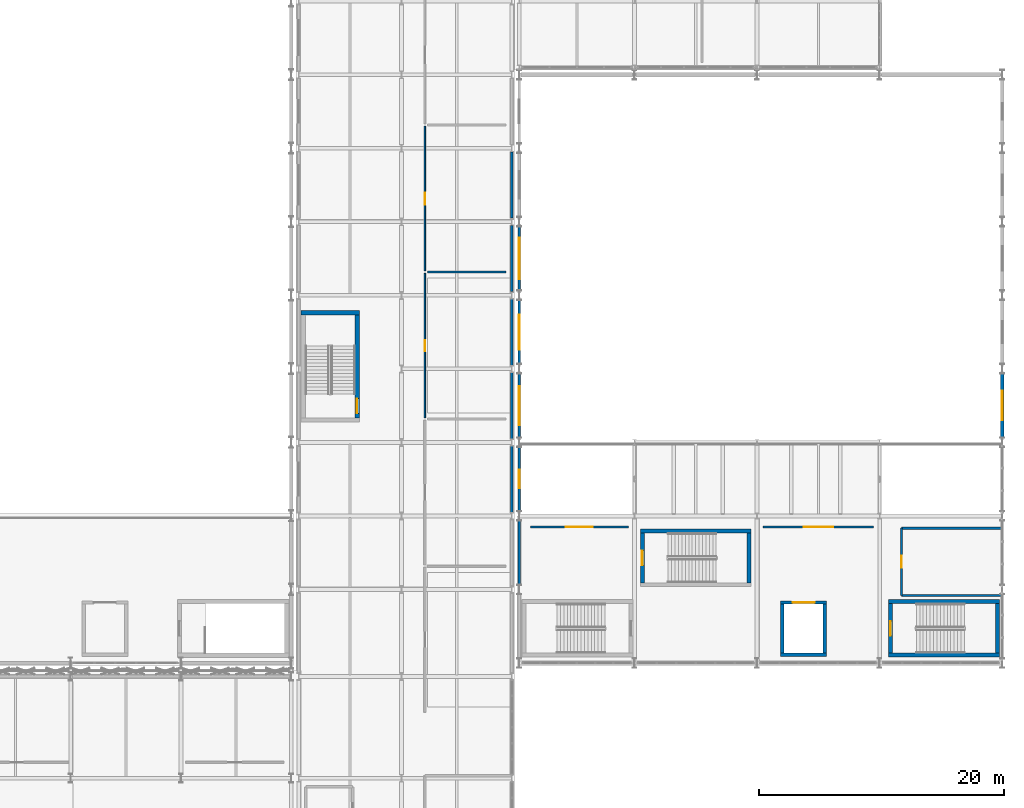
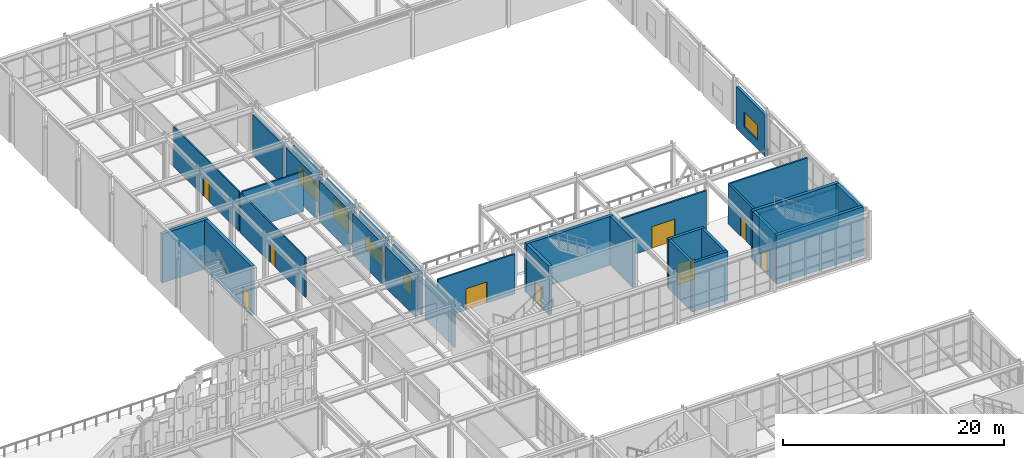
# One storey, part 161 of 210: 32 walls, 9 doors, 5 windows, 14 openings.
"""IFC4 building model written with IfcOpenShell, lengths in metres."""

import ifcopenshell
import ifcopenshell.guid

model = None  # the IFC model being written
_history = None  # IfcOwnerHistory: only IFC2X3 demands one
_inside = {}  # id of a spatial element -> (the spatial element, [elements in it])
_under = {}  # id of a project, library or spatial element -> (it, [spatial elements below it])
_declared = {}  # id of a project -> (the project, [libraries it declares])
_typed = {}  # id of a type object -> (the type object, [elements of that type])
_made_of = {}  # id of a material, layer set ... -> (it, [elements and type objects made of it])


def new_model(schema):
    """Start an empty IFC model of exactly this schema.

    Asked for "IFC4X3", IfcOpenShell would pick the latest addendum, in which some entities
    have other attributes; the version numbers below select the first issue.
    IFC2X3 requires an IfcOwnerHistory on every rooted entity: one is made here for all.
    """
    global model, _history
    if schema == "IFC4X3":
        model = ifcopenshell.file(schema_version=(4, 3, 0, 0))
    else:
        model = ifcopenshell.file(schema=schema)
    _inside.clear()
    _under.clear()
    _declared.clear()
    _typed.clear()
    _made_of.clear()
    _history = None
    if model.schema == "IFC2X3":
        org = make("IfcOrganization", Name="unknown")
        user = make(
            "IfcPersonAndOrganization",
            ThePerson=make("IfcPerson", FamilyName="unknown"),
            TheOrganization=org,
        )
        app = make(
            "IfcApplication",
            ApplicationDeveloper=org,
            Version="unknown",
            ApplicationFullName="unknown",
            ApplicationIdentifier="unknown",
        )
        _history = make(
            "IfcOwnerHistory",
            OwningUser=user,
            OwningApplication=app,
            ChangeAction="ADDED",
            CreationDate=0,
        )
    return model


def make(cls, **values):
    """One entity of the class cls with the attributes given. An attribute that is None is left unset."""
    return model.create_entity(
        cls, **{name: value for name, value in values.items() if value is not None}
    )


def rooted(cls, **values):
    """An entity with a GlobalId (a new one), such as an element, a storey or a relation."""
    return make(cls, GlobalId=ifcopenshell.guid.new(), OwnerHistory=_history, **values)


def si_unit(unit_type, name, prefix=None):
    """IfcSIUnit, for example si_unit("LENGTHUNIT", "METRE", prefix="MILLI")."""
    return make("IfcSIUnit", UnitType=unit_type, Prefix=prefix, Name=name)


def assignment(units):
    """IfcUnitAssignment: the units of a project."""
    return None if units is None else make("IfcUnitAssignment", Units=units)


def point(xyz):
    """IfcCartesianPoint."""
    return None if xyz is None else make("IfcCartesianPoint", Coordinates=xyz)


def direction(xyz):
    """IfcDirection."""
    return None if xyz is None else make("IfcDirection", DirectionRatios=xyz)


def frame(location, z_axis=None, x_axis=None):
    """IfcAxis2Placement3D, a coordinate frame: its origin and axes. An axis left out is left unset."""
    return make(
        "IfcAxis2Placement3D",
        Location=point(location),
        Axis=direction(z_axis),
        RefDirection=direction(x_axis),
    )


def frame_2d(location, x_axis=None):
    """IfcAxis2Placement2D, a coordinate frame in the plane: its origin and x axis."""
    return make(
        "IfcAxis2Placement2D", Location=point(location), RefDirection=direction(x_axis)
    )


def origin():
    """The frame at (0, 0, 0) with its axes left unset."""
    return frame((0.0, 0.0, 0.0))


def place(relative_to, where):
    """IfcLocalPlacement: puts the frame where relative to a parent placement (None: the world)."""
    return make(
        "IfcLocalPlacement", PlacementRelTo=relative_to, RelativePlacement=where
    )


def context(
    kind, dimensions, precision=None, world=None, true_north=None, identifier=None
):
    """IfcGeometricRepresentationContext, for example the 3D "Model" context."""
    return make(
        "IfcGeometricRepresentationContext",
        ContextIdentifier=identifier,
        ContextType=kind,
        CoordinateSpaceDimension=dimensions,
        Precision=precision,
        WorldCoordinateSystem=world,
        TrueNorth=true_north,
    )


def subcontext(parent, identifier, kind, view, scale=None):
    """IfcGeometricRepresentationSubContext, for example "Body" below "Model"."""
    return make(
        "IfcGeometricRepresentationSubContext",
        ContextIdentifier=identifier,
        ContextType=kind,
        ParentContext=parent,
        TargetScale=scale,
        TargetView=view,
    )


def project(units=None, contexts=None):
    """IfcProject with its units and contexts."""
    return rooted(
        "IfcProject",
        Name="project",
        RepresentationContexts=contexts,
        UnitsInContext=assignment(units),
    )


def spatial(cls, under=None, at=None, **own):
    """A site, building, storey or space (cls), placed at a placement, below another one or the project."""
    s = rooted(cls, ObjectPlacement=at, **own)
    if under is not None:
        _under.setdefault(under.id(), (under, []))[1].append(s)
    return s


def profile(cls, at=None, kind="AREA", **sizes):
    """A parametric profile (cls). Its sizes go by their IFC names, for example OverallWidth=200.0."""
    return make(cls, ProfileType=kind, Position=at, **sizes)


def rectangle(**sizes):
    """IfcRectangleProfileDef."""
    return profile("IfcRectangleProfileDef", **sizes)


def extrude(swept, where, along, depth):
    """IfcExtrudedAreaSolid: the profile swept, set in the frame where, extruded along a direction by depth."""
    return make(
        "IfcExtrudedAreaSolid",
        SweptArea=swept,
        Position=where,
        ExtrudedDirection=direction(along),
        Depth=depth,
    )


def shape(context_of_items, identifier, shape_type, items):
    """IfcShapeRepresentation: the items that make up one representation, for example the "Body"."""
    return make(
        "IfcShapeRepresentation",
        ContextOfItems=context_of_items,
        RepresentationIdentifier=identifier,
        RepresentationType=shape_type,
        Items=items,
    )


def material(Name=None, Category=None):
    """IfcMaterial."""
    return make("IfcMaterial", Name=Name, Category=Category)


def layer(
    of_material, thickness, ventilated=None, Name=None, Category=None, Priority=None
):
    """IfcMaterialLayer: one layer of a wall or slab, of a material (None: an air gap)."""
    return make(
        "IfcMaterialLayer",
        Material=of_material,
        LayerThickness=thickness,
        IsVentilated=ventilated,
        Name=Name,
        Category=Category,
        Priority=Priority,
    )


def layer_set(layers, Name=None):
    """IfcMaterialLayerSet."""
    return make("IfcMaterialLayerSet", MaterialLayers=layers, LayerSetName=Name)


def made_of(thing, what):
    """Note that an element or type object is made of a material, layer set ...; save() writes the relation."""
    if what is not None:
        _made_of.setdefault(what.id(), (what, []))[1].append(thing)
    return thing


def type_object(cls, material=None, **own):
    """A type object (cls), such as IfcWallType, which elements share."""
    return made_of(rooted(cls, **own), material)


def element(
    cls,
    number,
    at=None,
    inside=None,
    cuts=None,
    type_object=None,
    material=None,
    context=None,
    identifier="Body",
    shape_type=None,
    held_by="IfcProductDefinitionShape",
    body=None,
    shapes=None,
    **own,
):
    """One element of the class cls, such as IfcWall. Its Tag is "e" and its number.

    at: its placement. inside: the storey or other place that contains it. cuts: it is an
    opening in that element (IfcRelVoidsElement). A single representation is given by context,
    identifier, shape_type and body (its items); several are given by shapes. held_by: the class
    of the entity that holds the representations. save() writes the other relations.
    """
    e = rooted(cls, Tag="e%d" % number, ObjectPlacement=at, **own)
    if body is not None:
        shapes = [shape(context, identifier, shape_type, body)]
    if shapes is not None:
        e.Representation = make(held_by, Representations=shapes)
    if inside is not None:
        _inside.setdefault(inside.id(), (inside, []))[1].append(e)
    if cuts is not None:
        rooted(
            "IfcRelVoidsElement", RelatingBuildingElement=cuts, RelatedOpeningElement=e
        )
    if type_object is not None:
        _typed.setdefault(type_object.id(), (type_object, []))[1].append(e)
    return made_of(e, material)


def fill(opening, filler):
    """IfcRelFillsElement: the door or window that sits in an opening."""
    return rooted(
        "IfcRelFillsElement",
        RelatingOpeningElement=opening,
        RelatedBuildingElement=filler,
    )


def aggregate(whole, parts):
    """IfcRelAggregates: a whole, such as a stair, and the parts it consists of."""
    return rooted("IfcRelAggregates", RelatingObject=whole, RelatedObjects=parts)


def save(model, path):
    """Write the relations noted so far, then the file.

    IfcRelAggregates (storeys below a building ...), IfcRelContainedInSpatialStructure (elements
    in a storey), IfcRelDefinesByType, IfcRelAssociatesMaterial and IfcRelDeclares: one each for
    every whole, place, type object, material and project.
    """
    for whole, parts in _under.values():
        aggregate(whole, parts)
    for where, things in _inside.values():
        rooted(
            "IfcRelContainedInSpatialStructure",
            RelatedElements=things,
            RelatingStructure=where,
        )
    for kind, things in _typed.values():
        rooted("IfcRelDefinesByType", RelatedObjects=things, RelatingType=kind)
    for what, things in _made_of.values():
        rooted("IfcRelAssociatesMaterial", RelatedObjects=things, RelatingMaterial=what)
    for by, libraries in _declared.values():
        rooted("IfcRelDeclares", RelatingContext=by, RelatedDefinitions=libraries)
    model.write(path)


model = new_model("IFC4")

# Units and contexts
model_context = context("Model", 3, precision=1e-05, world=origin(), true_north=direction((0.0, 1.0)))
body_context = subcontext(model_context, "Body", "Model", "MODEL_VIEW")
ifc_project = project(units=[si_unit("LENGTHUNIT", "METRE"), si_unit("AREAUNIT", "SQUARE_METRE"), si_unit("VOLUMEUNIT", "CUBIC_METRE"), si_unit("PLANEANGLEUNIT", "RADIAN"), si_unit("MASSUNIT", "GRAM", prefix="KILO")], contexts=[model_context])

# Site, building, storey
site_placement = place(None, origin())
site = spatial("IfcSite", under=ifc_project, at=site_placement, CompositionType="ELEMENT")
building_placement = place(site_placement, origin())
building = spatial("IfcBuilding", under=site, at=building_placement, Name="Kaldris Quays Convention Centre", CompositionType="ELEMENT")
storey_placement = place(building_placement, frame((0.0, 0.0, 6.0)))
storey = spatial("IfcBuildingStorey", under=building, at=storey_placement, Name="L01", CompositionType="ELEMENT", Elevation=6.0)

# Wall, opening, window
ifc_material_1 = material(Name="Precast concrete C40/50", Category="concrete")
ifc_layer_1 = layer(ifc_material_1, 0.2880859375)
ifc_layer_set_1 = layer_set([ifc_layer_1], Name="Precast concrete C40/50")
wall_type_1 = type_object("IfcWallType", Name="EXTERIOR WALL EW03", PredefinedType="STANDARD", material=ifc_layer_set_1)
wall_1_placement = place(storey_placement, frame((204.0, 74.39599609375, 0.0), z_axis=(0.0, 0.0, 1.0), x_axis=(0.0, 1.0, 0.0)))
wall_1 = element("IfcWall", 1, at=wall_1_placement, inside=storey, type_object=wall_type_1, Name="L01 Exterior Wall EW03 123", PredefinedType="STANDARD", context=body_context, shape_type="SweptSolid", body=[
    extrude(rectangle(XDim=5.2080078125, YDim=0.2880859375, at=frame_2d((2.60400390625, 0.0))), origin(), (0.0, 0.0, 1.0), 4.60009765625),
])
opening_1_placement = place(wall_1_placement, frame((1.404052734375, 0.0, 1.0)))
opening_1 = element("IfcOpeningElement", 2, at=opening_1_placement, cuts=wall_1, Name="Opening WN09", PredefinedType="OPENING", context=body_context, shape_type="SweptSolid", body=[
    extrude(rectangle(XDim=2.39990234375, YDim=1.64990234375, at=frame_2d((1.199951171875, 0.824951171875))), frame((0.0, 0.154052734375, 0.0), z_axis=(0.0, -1.0, 0.0), x_axis=(1.0, 0.0, 0.0)), (0.0, 0.0, 1.0), 0.30810546875),
])
ifc_material_2 = material(Name="Triple low-E insulated glazing", Category="glass")
window_type_1 = type_object("IfcWindowType", Name="TRIPLE GLAZED WINDOW WN09", PartitioningType="SINGLE_PANEL", PredefinedType="WINDOW", material=ifc_material_2)
window_1_placement = place(opening_1_placement, origin())
window_1 = element("IfcWindow", 3, at=window_1_placement, inside=storey, type_object=window_type_1, Name="L01 Exterior Window WN09 38", OverallHeight=1.64990234375, OverallWidth=2.39990234375, PartitioningType="SINGLE_PANEL", PredefinedType="WINDOW", context=body_context, shape_type="SweptSolid", body=[
    extrude(rectangle(XDim=2.39990234375, YDim=1.64990234375, at=frame_2d((1.199951171875, 0.824951171875))), frame((0.0, 0.030029296875, 0.0), z_axis=(0.0, -1.0, 0.0), x_axis=(1.0, 0.0, 0.0)), (0.0, 0.0, 1.0), 0.06005859375),
])
fill(opening_1, window_1)

# Walls
ifc_material_3 = material(Name="Anodized aluminium insulated cassette", Category="aluminium")
ifc_layer_2 = layer(ifc_material_3, 0.221923828125)
ifc_layer_set_2 = layer_set([ifc_layer_2], Name="Anodized aluminium insulated cassette")
wall_type_2 = type_object("IfcWallType", Name="EXTERIOR WALL EW06", PredefinedType="STANDARD", material=ifc_layer_set_2)
for number, where, z_axis, x_axis, name in (
    (4, (164.0, 68.2958984375, 0.0), (0.0, 0.0, 1.0), (0.0, 1.0, 0.0), "L01 Exterior Wall EW06 293"),
    (5, (164.0, 74.2958984375, 0.0), (0.0, 0.0, 1.0), (0.0, 1.0, 0.0), "L01 Exterior Wall EW06 295"),
    (6, (164.0, 80.2958984375, 0.0), (0.0, 0.0, 1.0), (0.0, 1.0, 0.0), "L01 Exterior Wall EW06 297"),
    (7, (164.0, 86.2958984375, 0.0), (0.0, 0.0, 1.0), (0.0, 1.0, 0.0), "L01 Exterior Wall EW06 299"),
    (8, (164.0, 92.2958984375, 0.0), (0.0, 0.0, 1.0), (0.0, 1.0, 0.0), "L01 Exterior Wall EW06 301"),
):
    element("IfcWall", number, at=place(storey_placement, frame(where, z_axis=z_axis, x_axis=x_axis)), inside=storey, type_object=wall_type_2, Name=name, PredefinedType="STANDARD", context=body_context, shape_type="SweptSolid", body=[
        extrude(rectangle(XDim=5.408203125, YDim=0.221923828125, at=frame_2d((2.7041015625, 0.0))), origin(), (0.0, 0.0, 1.0), 4.51806640625),
    ])
ifc_layer_3 = layer(ifc_material_3, 0.201904296875)
ifc_layer_set_3 = layer_set([ifc_layer_3], Name="Anodized aluminium insulated cassette")
wall_type_3 = type_object("IfcWallType", Name="EXTERIOR WALL EW07", PredefinedType="STANDARD", material=ifc_layer_set_3)
wall_2_placement = place(storey_placement, frame((164.60009765625, 62.39599609375, 0.0), z_axis=(0.0, 0.0, 1.0), x_axis=(0.0, 1.0, 0.0)))
element("IfcWall", 9, at=wall_2_placement, inside=storey, type_object=wall_type_3, Name="L01 Exterior Wall EW07 121", PredefinedType="STANDARD", context=body_context, shape_type="SweptSolid", body=[
    extrude(rectangle(XDim=5.2080078125, YDim=0.201904296875, at=frame_2d((2.60400390625, 0.0))), origin(), (0.0, 0.0, 1.0), 4.577880859375),
])

# Wall, opening, window
wall_3_placement = place(storey_placement, frame((164.60009765625, 68.39599609375, 0.0), z_axis=(0.0, 0.0, 1.0), x_axis=(0.0, 1.0, 0.0)))
wall_3 = element("IfcWall", 10, at=wall_3_placement, inside=storey, type_object=wall_type_3, Name="L01 Exterior Wall EW07 122", PredefinedType="STANDARD", context=body_context, shape_type="SweptSolid", body=[
    extrude(rectangle(XDim=5.2080078125, YDim=0.201904296875, at=frame_2d((2.60400390625, 0.0))), origin(), (0.0, 0.0, 1.0), 4.60009765625),
])
opening_2_placement = place(wall_3_placement, frame((1.85400390625, 0.0, 1.0)))
opening_2 = element("IfcOpeningElement", 11, at=opening_2_placement, cuts=wall_3, Name="Opening WN08", PredefinedType="OPENING", context=body_context, shape_type="SweptSolid", body=[
    extrude(rectangle(XDim=1.5, YDim=1.800048828125, at=frame_2d((0.75, 0.89990234375))), frame((0.0, 0.11083984375, 0.0), z_axis=(0.0, -1.0, 0.0), x_axis=(1.0, 0.0, 0.0)), (0.0, 0.0, 1.0), 0.221923828125),
])
window_type_2 = type_object("IfcWindowType", Name="TRIPLE GLAZED WINDOW WN08", PartitioningType="SINGLE_PANEL", PredefinedType="WINDOW", material=ifc_material_2)
window_2_placement = place(opening_2_placement, origin())
window_2 = element("IfcWindow", 12, at=window_2_placement, inside=storey, type_object=window_type_2, Name="L01 Exterior Window WN08 37", OverallHeight=1.800048828125, OverallWidth=1.5, PartitioningType="SINGLE_PANEL", PredefinedType="WINDOW", context=body_context, shape_type="SweptSolid", body=[
    extrude(rectangle(XDim=1.5, YDim=1.800048828125, at=frame_2d((0.75, 0.89990234375))), frame((0.0, 0.030029296875, 0.0), z_axis=(0.0, -1.0, 0.0), x_axis=(1.0, 0.0, 0.0)), (0.0, 0.0, 1.0), 0.06005859375),
])
fill(opening_2, window_2)

wall_4_placement = place(storey_placement, frame((164.60009765625, 74.39599609375, 0.0), z_axis=(0.0, 0.0, 1.0), x_axis=(0.0, 1.0, 0.0)))
wall_4 = element("IfcWall", 13, at=wall_4_placement, inside=storey, type_object=wall_type_3, Name="L01 Exterior Wall EW07 124", PredefinedType="STANDARD", context=body_context, shape_type="SweptSolid", body=[
    extrude(rectangle(XDim=5.2080078125, YDim=0.201904296875, at=frame_2d((2.60400390625, 0.0))), origin(), (0.0, 0.0, 1.0), 4.60009765625),
])
opening_3_placement = place(wall_4_placement, frame((1.00390625, 0.0, 1.0)))
opening_3 = element("IfcOpeningElement", 14, at=opening_3_placement, cuts=wall_4, Name="Opening WN10", PredefinedType="OPENING", context=body_context, shape_type="SweptSolid", body=[
    extrude(rectangle(XDim=3.199951171875, YDim=1.64990234375, at=frame_2d((1.60009765625, 0.824951171875))), frame((0.0, 0.11083984375, 0.0), z_axis=(0.0, -1.0, 0.0), x_axis=(1.0, 0.0, 0.0)), (0.0, 0.0, 1.0), 0.221923828125),
])
window_type_3 = type_object("IfcWindowType", Name="TRIPLE GLAZED WINDOW WN10", PartitioningType="SINGLE_PANEL", PredefinedType="WINDOW", material=ifc_material_2)
window_3_placement = place(opening_3_placement, origin())
window_3 = element("IfcWindow", 15, at=window_3_placement, inside=storey, type_object=window_type_3, Name="L01 Exterior Window WN10 39", OverallHeight=1.64990234375, OverallWidth=3.199951171875, PartitioningType="SINGLE_PANEL", PredefinedType="WINDOW", context=body_context, shape_type="SweptSolid", body=[
    extrude(rectangle(XDim=3.199951171875, YDim=1.64990234375, at=frame_2d((1.60009765625, 0.824951171875))), frame((0.0, 0.030029296875, 0.0), z_axis=(0.0, -1.0, 0.0), x_axis=(1.0, 0.0, 0.0)), (0.0, 0.0, 1.0), 0.06005859375),
])
fill(opening_3, window_3)

wall_5_placement = place(storey_placement, frame((164.60009765625, 80.39599609375, 0.0), z_axis=(0.0, 0.0, 1.0), x_axis=(0.0, 1.0, 0.0)))
wall_5 = element("IfcWall", 16, at=wall_5_placement, inside=storey, type_object=wall_type_3, Name="L01 Exterior Wall EW07 126", PredefinedType="STANDARD", context=body_context, shape_type="SweptSolid", body=[
    extrude(rectangle(XDim=5.2080078125, YDim=0.201904296875, at=frame_2d((2.60400390625, 0.0))), origin(), (0.0, 0.0, 1.0), 4.60009765625),
])
opening_4_placement = place(wall_5_placement, frame((1.178955078125, 0.0, 1.0)))
opening_4 = element("IfcOpeningElement", 17, at=opening_4_placement, cuts=wall_5, Name="Opening WN12", PredefinedType="OPENING", context=body_context, shape_type="SweptSolid", body=[
    extrude(rectangle(XDim=2.85009765625, YDim=2.25, at=frame_2d((1.425048828125, 1.125))), frame((0.0, 0.11083984375, 0.0), z_axis=(0.0, -1.0, 0.0), x_axis=(1.0, 0.0, 0.0)), (0.0, 0.0, 1.0), 0.221923828125),
])
window_type_4 = type_object("IfcWindowType", Name="TRIPLE GLAZED WINDOW WN12", PartitioningType="SINGLE_PANEL", PredefinedType="WINDOW", material=ifc_material_2)
window_4_placement = place(opening_4_placement, origin())
window_4 = element("IfcWindow", 18, at=window_4_placement, inside=storey, type_object=window_type_4, Name="L01 Exterior Window WN12 41", OverallHeight=2.25, OverallWidth=2.85009765625, PartitioningType="SINGLE_PANEL", PredefinedType="WINDOW", context=body_context, shape_type="SweptSolid", body=[
    extrude(rectangle(XDim=2.85009765625, YDim=2.25, at=frame_2d((1.425048828125, 1.125))), frame((0.0, 0.030029296875, 0.0), z_axis=(0.0, -1.0, 0.0), x_axis=(1.0, 0.0, 0.0)), (0.0, 0.0, 1.0), 0.06005859375),
])
fill(opening_4, window_4)

wall_6_placement = place(storey_placement, frame((164.60009765625, 86.39599609375, 0.0), z_axis=(0.0, 0.0, 1.0), x_axis=(0.0, 1.0, 0.0)))
wall_6 = element("IfcWall", 19, at=wall_6_placement, inside=storey, type_object=wall_type_3, Name="L01 Exterior Wall EW07 128", PredefinedType="STANDARD", context=body_context, shape_type="SweptSolid", body=[
    extrude(rectangle(XDim=5.2080078125, YDim=0.201904296875, at=frame_2d((2.60400390625, 0.0))), origin(), (0.0, 0.0, 1.0), 4.60009765625),
])
opening_5_placement = place(wall_6_placement, frame((0.904052734375, 0.0, 1.0)))
opening_5 = element("IfcOpeningElement", 20, at=opening_5_placement, cuts=wall_6, Name="Opening WN14", PredefinedType="OPENING", context=body_context, shape_type="SweptSolid", body=[
    extrude(rectangle(XDim=3.39990234375, YDim=2.0, at=frame_2d((1.699951171875, 1.0))), frame((0.0, 0.11083984375, 0.0), z_axis=(0.0, -1.0, 0.0), x_axis=(1.0, 0.0, 0.0)), (0.0, 0.0, 1.0), 0.221923828125),
])
window_type_5 = type_object("IfcWindowType", Name="TRIPLE GLAZED WINDOW WN14", PartitioningType="SINGLE_PANEL", PredefinedType="WINDOW", material=ifc_material_2)
window_5_placement = place(opening_5_placement, origin())
window_5 = element("IfcWindow", 21, at=window_5_placement, inside=storey, type_object=window_type_5, Name="L01 Exterior Window WN14 43", OverallHeight=2.0, OverallWidth=3.39990234375, PartitioningType="SINGLE_PANEL", PredefinedType="WINDOW", context=body_context, shape_type="SweptSolid", body=[
    extrude(rectangle(XDim=3.39990234375, YDim=2.0, at=frame_2d((1.699951171875, 1.0))), frame((0.0, 0.030029296875, 0.0), z_axis=(0.0, -1.0, 0.0), x_axis=(1.0, 0.0, 0.0)), (0.0, 0.0, 1.0), 0.06005859375),
])
fill(opening_5, window_5)

# Wall, opening, door
ifc_material_4 = material(Name="Acoustic gypsum stud partition", Category="gypsum")
ifc_layer_4 = layer(ifc_material_4, 0.177978515625)
ifc_layer_set_4 = layer_set([ifc_layer_4], Name="Acoustic gypsum stud partition")
wall_type_4 = type_object("IfcWallType", Name="INTERIOR WALL IW02", PredefinedType="PARTITIONING", material=ifc_layer_set_4)
wall_7_placement = place(storey_placement, frame((165.5, 67.10009765625, 0.0), z_axis=(0.0, 0.0, 1.0), x_axis=(1.0, 0.0, 0.0)))
wall_7 = element("IfcWall", 22, at=wall_7_placement, inside=storey, type_object=wall_type_4, Name="L01 Interior Wall IW02 38", PredefinedType="PARTITIONING", context=body_context, shape_type="SweptSolid", body=[
    extrude(rectangle(XDim=8.0, YDim=0.177978515625, at=frame_2d((4.0, 0.0))), origin(), (0.0, 0.0, 1.0), 4.39990234375),
])
opening_6_placement = place(wall_7_placement, frame((2.89990234375, 0.0, 0.0)))
opening_6 = element("IfcOpeningElement", 23, at=opening_6_placement, cuts=wall_7, Name="Opening ID19", PredefinedType="OPENING", context=body_context, shape_type="SweptSolid", body=[
    extrude(rectangle(XDim=2.199951171875, YDim=2.340087890625, at=frame_2d((1.10009765625, 1.169921875))), frame((0.0, 0.09912109375, 0.0), z_axis=(0.0, -1.0, 0.0), x_axis=(1.0, 0.0, 0.0)), (0.0, 0.0, 1.0), 0.197998046875),
])
ifc_material_5 = material(Name="Glazed concourse double door", Category="aluminium")
door_type_1 = type_object("IfcDoorType", Name="INTERIOR DOOR ID19", OperationType="DOUBLE_DOOR_SINGLE_SWING", PredefinedType="DOOR", material=ifc_material_5)
door_1_placement = place(opening_6_placement, frame((2.199951171875, 0.0, 0.0), z_axis=(0.0, 0.0, 1.0), x_axis=(-1.0, 0.0, 0.0)))
door_1 = element("IfcDoor", 24, at=door_1_placement, inside=storey, type_object=door_type_1, Name="L01 Interior Door ID19 29", OperationType="DOUBLE_DOOR_SINGLE_SWING", OverallHeight=2.340087890625, OverallWidth=2.199951171875, PredefinedType="DOOR", context=body_context, shape_type="SweptSolid", body=[
    extrude(rectangle(XDim=2.199951171875, YDim=2.340087890625, at=frame_2d((1.10009765625, 1.169921875))), frame((0.0, 0.02490234375, 0.0), z_axis=(0.0, -1.0, 0.0), x_axis=(1.0, 0.0, 0.0)), (0.0, 0.0, 1.0), 0.050048828125),
])
fill(opening_6, door_1)

wall_8_placement = place(storey_placement, frame((184.5, 67.10009765625, 0.0), z_axis=(0.0, 0.0, 1.0), x_axis=(1.0, 0.0, 0.0)))
wall_8 = element("IfcWall", 25, at=wall_8_placement, inside=storey, type_object=wall_type_4, Name="L01 Interior Wall IW02 39", PredefinedType="PARTITIONING", context=body_context, shape_type="SweptSolid", body=[
    extrude(rectangle(XDim=9.0, YDim=0.177978515625, at=frame_2d((4.5, 0.0))), origin(), (0.0, 0.0, 1.0), 4.39990234375),
])
opening_7_placement = place(wall_8_placement, frame((3.300048828125, 0.0, 0.0)))
opening_7 = element("IfcOpeningElement", 26, at=opening_7_placement, cuts=wall_8, Name="Opening ID20", PredefinedType="OPENING", context=body_context, shape_type="SweptSolid", body=[
    extrude(rectangle(XDim=2.39990234375, YDim=2.39990234375, at=frame_2d((1.199951171875, 1.199951171875))), frame((0.0, 0.09912109375, 0.0), z_axis=(0.0, -1.0, 0.0), x_axis=(1.0, 0.0, 0.0)), (0.0, 0.0, 1.0), 0.197998046875),
])
ifc_material_6 = material(Name="Exhibition foyer double door", Category="aluminium")
door_type_2 = type_object("IfcDoorType", Name="INTERIOR DOOR ID20", OperationType="DOUBLE_DOOR_SINGLE_SWING", PredefinedType="DOOR", material=ifc_material_6)
door_2_placement = place(opening_7_placement, frame((2.39990234375, 0.0, 0.0), z_axis=(0.0, 0.0, 1.0), x_axis=(-1.0, 0.0, 0.0)))
door_2 = element("IfcDoor", 27, at=door_2_placement, inside=storey, type_object=door_type_2, Name="L01 Interior Door ID20 30", OperationType="DOUBLE_DOOR_SINGLE_SWING", OverallHeight=2.39990234375, OverallWidth=2.39990234375, PredefinedType="DOOR", context=body_context, shape_type="SweptSolid", body=[
    extrude(rectangle(XDim=2.39990234375, YDim=2.39990234375, at=frame_2d((1.199951171875, 1.199951171875))), frame((0.0, 0.02490234375, 0.0), z_axis=(0.0, -1.0, 0.0), x_axis=(1.0, 0.0, 0.0)), (0.0, 0.0, 1.0), 0.050048828125),
])
fill(opening_7, door_2)

# Walls
for number, where, z_axis, x_axis, name in (
    (28, (195.800048828125, 61.5, 0.0), (0.0, 0.0, 1.0), (1.0, 0.0, 0.0), "L01 Interior Wall IW02 40"),
    (29, (195.800048828125, 67.0, 0.0), (0.0, 0.0, 1.0), (1.0, 0.0, 0.0), "L01 Interior Wall IW02 41"),
):
    element("IfcWall", number, at=place(storey_placement, frame(where, z_axis=z_axis, x_axis=x_axis)), inside=storey, type_object=wall_type_4, Name=name, PredefinedType="PARTITIONING", context=body_context, shape_type="SweptSolid", body=[
        extrude(rectangle(XDim=8.199951171875, YDim=0.177978515625, at=frame_2d((4.10009765625, 0.0))), origin(), (0.0, 0.0, 1.0), 4.39990234375),
    ])

# Wall, opening, door
wall_9_placement = place(storey_placement, frame((195.800048828125, 61.5, 0.0), z_axis=(0.0, 0.0, 1.0), x_axis=(0.0, 1.0, 0.0)))
wall_9 = element("IfcWall", 30, at=wall_9_placement, inside=storey, type_object=wall_type_4, Name="L01 Interior Wall IW02 42", PredefinedType="PARTITIONING", context=body_context, shape_type="SweptSolid", body=[
    extrude(rectangle(XDim=5.5, YDim=0.177978515625, at=frame_2d((2.75, 0.0))), origin(), (0.0, 0.0, 1.0), 4.39990234375),
])
opening_8_placement = place(wall_9_placement, frame((2.260009765625, 0.0, 0.0)))
opening_8 = element("IfcOpeningElement", 31, at=opening_8_placement, cuts=wall_9, Name="Opening ID13", PredefinedType="OPENING", context=body_context, shape_type="SweptSolid", body=[
    extrude(rectangle(XDim=0.97998046875, YDim=2.139892578125, at=frame_2d((0.489990234375, 1.06982421875))), frame((0.0, 0.09912109375, 0.0), z_axis=(0.0, -1.0, 0.0), x_axis=(1.0, 0.0, 0.0)), (0.0, 0.0, 1.0), 0.197998046875),
])
ifc_material_7 = material(Name="SIA 500 accessible sanitary room door", Category="wood")
door_type_3 = type_object("IfcDoorType", Name="INTERIOR DOOR ID13", OperationType="NOTDEFINED", PredefinedType="DOOR", material=ifc_material_7)
door_3_placement = place(opening_8_placement, origin())
door_3 = element("IfcDoor", 32, at=door_3_placement, inside=storey, type_object=door_type_3, Name="L01 Interior Door ID13 31", OperationType="SINGLE_SWING_LEFT", OverallHeight=2.139892578125, OverallWidth=0.97998046875, PredefinedType="DOOR", context=body_context, shape_type="SweptSolid", body=[
    extrude(rectangle(XDim=0.97998046875, YDim=2.139892578125, at=frame_2d((0.489990234375, 1.06982421875))), frame((0.0, 0.02490234375, 0.0), z_axis=(0.0, -1.0, 0.0), x_axis=(1.0, 0.0, 0.0)), (0.0, 0.0, 1.0), 0.050048828125),
])
fill(opening_8, door_3)

ifc_layer_5 = layer(ifc_material_4, 0.134033203125)
ifc_layer_set_5 = layer_set([ifc_layer_5], Name="Acoustic gypsum stud partition")
wall_type_5 = type_object("IfcWallType", Name="INTERIOR WALL IW05", PredefinedType="PARTITIONING", material=ifc_layer_set_5)
wall_10_placement = place(storey_placement, frame((156.89990234375, 76.0, 0.0), z_axis=(0.0, 0.0, 1.0), x_axis=(0.0, 1.0, 0.0)))
wall_10 = element("IfcWall", 33, at=wall_10_placement, inside=storey, type_object=wall_type_5, Name="L01 Interior Wall IW05 64", PredefinedType="PARTITIONING", context=body_context, shape_type="SweptSolid", body=[
    extrude(rectangle(XDim=11.800048828125, YDim=0.134033203125, at=frame_2d((5.89990234375, 0.0))), origin(), (0.0, 0.0, 1.0), 4.39990234375),
])
opening_9_placement = place(wall_10_placement, frame((5.449951171875, 0.0, 0.0)))
opening_9 = element("IfcOpeningElement", 34, at=opening_9_placement, cuts=wall_10, Name="Opening ID12", PredefinedType="OPENING", context=body_context, shape_type="SweptSolid", body=[
    extrude(rectangle(XDim=0.89990234375, YDim=2.080078125, at=frame_2d((0.449951171875, 1.0400390625))), frame((0.0, 0.0771484375, 0.0), z_axis=(0.0, -1.0, 0.0), x_axis=(1.0, 0.0, 0.0)), (0.0, 0.0, 1.0), 0.154052734375),
])
ifc_material_8 = material(Name="Moisture-resistant sanitary room door", Category="wood")
door_type_4 = type_object("IfcDoorType", Name="INTERIOR DOOR ID12", OperationType="NOTDEFINED", PredefinedType="DOOR", material=ifc_material_8)
door_4_placement = place(opening_9_placement, origin())
door_4 = element("IfcDoor", 35, at=door_4_placement, inside=storey, type_object=door_type_4, Name="L01 Interior Door ID12 45", OperationType="SINGLE_SWING_LEFT", OverallHeight=2.080078125, OverallWidth=0.89990234375, PredefinedType="DOOR", context=body_context, shape_type="SweptSolid", body=[
    extrude(rectangle(XDim=0.89990234375, YDim=2.080078125, at=frame_2d((0.449951171875, 1.0400390625))), frame((0.0, 0.02490234375, 0.0), z_axis=(0.0, -1.0, 0.0), x_axis=(1.0, 0.0, 0.0)), (0.0, 0.0, 1.0), 0.050048828125),
])
fill(opening_9, door_4)

wall_11_placement = place(storey_placement, frame((156.89990234375, 88.0, 0.0), z_axis=(0.0, 0.0, 1.0), x_axis=(0.0, 1.0, 0.0)))
wall_11 = element("IfcWall", 36, at=wall_11_placement, inside=storey, type_object=wall_type_5, Name="L01 Interior Wall IW05 65", PredefinedType="PARTITIONING", context=body_context, shape_type="SweptSolid", body=[
    extrude(rectangle(XDim=11.800048828125, YDim=0.134033203125, at=frame_2d((5.89990234375, 0.0))), origin(), (0.0, 0.0, 1.0), 4.39990234375),
])
opening_10_placement = place(wall_11_placement, frame((5.409912109375, 0.0, 0.0)))
opening_10 = element("IfcOpeningElement", 37, at=opening_10_placement, cuts=wall_11, Name="Opening ID13", PredefinedType="OPENING", context=body_context, shape_type="SweptSolid", body=[
    extrude(rectangle(XDim=0.97998046875, YDim=2.139892578125, at=frame_2d((0.489990234375, 1.06982421875))), frame((0.0, 0.0771484375, 0.0), z_axis=(0.0, -1.0, 0.0), x_axis=(1.0, 0.0, 0.0)), (0.0, 0.0, 1.0), 0.154052734375),
])
door_5_placement = place(opening_10_placement, origin())
door_5 = element("IfcDoor", 38, at=door_5_placement, inside=storey, type_object=door_type_3, Name="L01 Interior Door ID13 46", OperationType="SINGLE_SWING_RIGHT", OverallHeight=2.139892578125, OverallWidth=0.97998046875, PredefinedType="DOOR", context=body_context, shape_type="SweptSolid", body=[
    extrude(rectangle(XDim=0.97998046875, YDim=2.139892578125, at=frame_2d((0.489990234375, 1.06982421875))), frame((0.0, 0.02490234375, 0.0), z_axis=(0.0, -1.0, 0.0), x_axis=(1.0, 0.0, 0.0)), (0.0, 0.0, 1.0), 0.050048828125),
])
fill(opening_10, door_5)

# Walls
ifc_material_9 = material(Name="Steel S355J2 acoustic operable panel", Category="steel")
ifc_layer_6 = layer(ifc_material_9, 0.16796875)
ifc_layer_set_6 = layer_set([ifc_layer_6], Name="Steel S355J2 acoustic operable panel")
wall_type_6 = type_object("IfcWallType", Name="INTERIOR WALL MW02", PredefinedType="MOVABLE", material=ifc_layer_set_6)
wall_12_placement = place(storey_placement, frame((157.10009765625, 87.89990234375, 0.0), z_axis=(0.0, 0.0, 1.0), x_axis=(1.0, 0.0, 0.0)))
element("IfcWall", 39, at=wall_12_placement, inside=storey, type_object=wall_type_6, Name="L01 Interior Wall MW02 70", PredefinedType="MOVABLE", context=body_context, shape_type="SweptSolid", body=[
    extrude(rectangle(XDim=6.39990234375, YDim=0.16796875, at=frame_2d((3.199951171875, 0.0))), origin(), (0.0, 0.0, 1.0), 4.39990234375),
])
ifc_material_10 = material(Name="Concrete C40/50", Category="concrete")
ifc_layer_7 = layer(ifc_material_10, 0.35009765625)
ifc_layer_set_7 = layer_set([ifc_layer_7], Name="Concrete C40/50")
wall_type_7 = type_object("IfcWallType", Name="STRUCTURAL WALL SW01", PredefinedType="SHEAR", material=ifc_layer_set_7)
wall_13_placement = place(storey_placement, frame((146.800048828125, 84.574951171875, 0.0), z_axis=(0.0, 0.0, 1.0), x_axis=(1.0, 0.0, 0.0)))
element("IfcWall", 40, at=wall_13_placement, inside=storey, type_object=wall_type_7, Name="L01 Core Shear Wall CORE-ST14-L01-N", PredefinedType="SHEAR", context=body_context, shape_type="SweptSolid", body=[
    extrude(rectangle(XDim=4.75, YDim=0.35009765625, at=frame_2d((2.375, 0.0))), origin(), (0.0, 0.0, 1.0), 5.39990234375),
])

# Wall, opening, door
wall_14_placement = place(storey_placement, frame((151.375, 76.0, 0.0), z_axis=(0.0, 0.0, 1.0), x_axis=(0.0, 1.0, 0.0)))
wall_14 = element("IfcWall", 41, at=wall_14_placement, inside=storey, type_object=wall_type_7, Name="L01 Core Shear Wall CORE-ST14-L01-E", PredefinedType="SHEAR", context=body_context, shape_type="SweptSolid", body=[
    extrude(rectangle(XDim=8.39990234375, YDim=0.35009765625, at=frame_2d((4.199951171875, 0.0))), origin(), (0.0, 0.0, 1.0), 5.39990234375),
])
opening_11_placement = place(wall_14_placement, frame((0.375, 0.0, 0.0)))
opening_11 = element("IfcOpeningElement", 42, at=opening_11_placement, cuts=wall_14, Name="Opening ID03", PredefinedType="OPENING", context=body_context, shape_type="SweptSolid", body=[
    extrude(rectangle(XDim=1.199951171875, YDim=2.199951171875, at=frame_2d((0.60009765625, 1.10009765625))), frame((0.0, 0.18505859375, 0.0), z_axis=(0.0, -1.0, 0.0), x_axis=(1.0, 0.0, 0.0)), (0.0, 0.0, 1.0), 0.3701171875),
])
ifc_material_11 = material(Name="Steel S355J2 fire-resisting door", Category="steel")
door_type_5 = type_object("IfcDoorType", Name="INTERIOR DOOR ID03", OperationType="NOTDEFINED", PredefinedType="DOOR", material=ifc_material_11)
door_6_placement = place(opening_11_placement, origin())
door_6 = element("IfcDoor", 43, at=door_6_placement, inside=storey, type_object=door_type_5, Name="L01 Escape Stair ST14 Fire Door", OperationType="SINGLE_SWING_LEFT", OverallHeight=2.199951171875, OverallWidth=1.199951171875, PredefinedType="DOOR", context=body_context, shape_type="SweptSolid", body=[
    extrude(rectangle(XDim=1.199951171875, YDim=2.199951171875, at=frame_2d((0.60009765625, 1.10009765625))), frame((0.0, 0.02490234375, 0.0), z_axis=(0.0, -1.0, 0.0), x_axis=(1.0, 0.0, 0.0)), (0.0, 0.0, 1.0), 0.050048828125),
])
fill(opening_11, door_6)

# Walls
ifc_layer_8 = layer(ifc_material_10, 0.320068359375)
ifc_layer_set_8 = layer_set([ifc_layer_8], Name="Concrete C40/50")
wall_type_8 = type_object("IfcWallType", Name="STRUCTURAL WALL SW02", PredefinedType="SHEAR", material=ifc_layer_set_8)
for number, where, z_axis, x_axis, name in (
    (44, (194.72998046875, 56.639892578125, 0.0), (0.0, 0.0, 1.0), (1.0, 0.0, 0.0), "L01 Core Shear Wall CORE-ST09-L01-S"),
    (45, (194.72998046875, 61.010009765625, 0.0), (0.0, 0.0, 1.0), (1.0, 0.0, 0.0), "L01 Core Shear Wall CORE-ST09-L01-N"),
):
    element("IfcWall", number, at=place(storey_placement, frame(where, z_axis=z_axis, x_axis=x_axis)), inside=storey, type_object=wall_type_8, Name=name, PredefinedType="SHEAR", context=body_context, shape_type="SweptSolid", body=[
        extrude(rectangle(XDim=9.0400390625, YDim=0.320068359375, at=frame_2d((4.52001953125, 0.0))), origin(), (0.0, 0.0, 1.0), 5.39990234375),
    ])

# Wall, opening, door
wall_15_placement = place(storey_placement, frame((194.889892578125, 56.800048828125, 0.0), z_axis=(0.0, 0.0, 1.0), x_axis=(0.0, 1.0, 0.0)))
wall_15 = element("IfcWall", 46, at=wall_15_placement, inside=storey, type_object=wall_type_8, Name="L01 Core Shear Wall CORE-ST09-L01-W", PredefinedType="SHEAR", context=body_context, shape_type="SweptSolid", body=[
    extrude(rectangle(XDim=4.050048828125, YDim=0.320068359375, at=frame_2d((2.02490234375, 0.0))), origin(), (0.0, 0.0, 1.0), 5.39990234375),
])
opening_12_placement = place(wall_15_placement, frame((1.425048828125, 0.0, 0.0)))
opening_12 = element("IfcOpeningElement", 47, at=opening_12_placement, cuts=wall_15, Name="Opening ID03", PredefinedType="OPENING", context=body_context, shape_type="SweptSolid", body=[
    extrude(rectangle(XDim=1.199951171875, YDim=2.199951171875, at=frame_2d((0.60009765625, 1.10009765625))), frame((0.0, 0.169921875, 0.0), z_axis=(0.0, -1.0, 0.0), x_axis=(1.0, 0.0, 0.0)), (0.0, 0.0, 1.0), 0.340087890625),
])
door_7_placement = place(opening_12_placement, frame((1.199951171875, 0.0, 0.0), z_axis=(0.0, 0.0, 1.0), x_axis=(-1.0, 0.0, 0.0)))
door_7 = element("IfcDoor", 48, at=door_7_placement, inside=storey, type_object=door_type_5, Name="L01 Escape Stair ST09 Fire Door", OperationType="SINGLE_SWING_RIGHT", OverallHeight=2.199951171875, OverallWidth=1.199951171875, PredefinedType="DOOR", context=body_context, shape_type="SweptSolid", body=[
    extrude(rectangle(XDim=1.199951171875, YDim=2.199951171875, at=frame_2d((0.60009765625, 1.10009765625))), frame((0.0, 0.02490234375, 0.0), z_axis=(0.0, -1.0, 0.0), x_axis=(1.0, 0.0, 0.0)), (0.0, 0.0, 1.0), 0.050048828125),
])
fill(opening_12, door_7)

# Walls
wall_16_placement = place(storey_placement, frame((203.610107421875, 56.800048828125, 0.0), z_axis=(0.0, 0.0, 1.0), x_axis=(0.0, 1.0, 0.0)))
element("IfcWall", 49, at=wall_16_placement, inside=storey, type_object=wall_type_8, Name="L01 Core Shear Wall CORE-ST09-L01-E", PredefinedType="SHEAR", context=body_context, shape_type="SweptSolid", body=[
    extrude(rectangle(XDim=4.050048828125, YDim=0.320068359375, at=frame_2d((2.02490234375, 0.0))), origin(), (0.0, 0.0, 1.0), 5.39990234375),
])
wall_17_placement = place(storey_placement, frame((174.47998046875, 66.760009765625, 0.0), z_axis=(0.0, 0.0, 1.0), x_axis=(1.0, 0.0, 0.0)))
element("IfcWall", 50, at=wall_17_placement, inside=storey, type_object=wall_type_8, Name="L01 Core Shear Wall CORE-ST10-L01-N", PredefinedType="SHEAR", context=body_context, shape_type="SweptSolid", body=[
    extrude(rectangle(XDim=9.0400390625, YDim=0.320068359375, at=frame_2d((4.52001953125, 0.0))), origin(), (0.0, 0.0, 1.0), 5.39990234375),
])

# Wall, opening, door
wall_18_placement = place(storey_placement, frame((174.639892578125, 62.550048828125, 0.0), z_axis=(0.0, 0.0, 1.0), x_axis=(0.0, 1.0, 0.0)))
wall_18 = element("IfcWall", 51, at=wall_18_placement, inside=storey, type_object=wall_type_8, Name="L01 Core Shear Wall CORE-ST10-L01-W", PredefinedType="SHEAR", context=body_context, shape_type="SweptSolid", body=[
    extrude(rectangle(XDim=4.050048828125, YDim=0.320068359375, at=frame_2d((2.02490234375, 0.0))), origin(), (0.0, 0.0, 1.0), 5.39990234375),
])
opening_13_placement = place(wall_18_placement, frame((1.425048828125, 0.0, 0.0)))
opening_13 = element("IfcOpeningElement", 52, at=opening_13_placement, cuts=wall_18, Name="Opening ID03", PredefinedType="OPENING", context=body_context, shape_type="SweptSolid", body=[
    extrude(rectangle(XDim=1.199951171875, YDim=2.199951171875, at=frame_2d((0.60009765625, 1.10009765625))), frame((0.0, 0.169921875, 0.0), z_axis=(0.0, -1.0, 0.0), x_axis=(1.0, 0.0, 0.0)), (0.0, 0.0, 1.0), 0.340087890625),
])
door_8_placement = place(opening_13_placement, frame((1.199951171875, 0.0, 0.0), z_axis=(0.0, 0.0, 1.0), x_axis=(-1.0, 0.0, 0.0)))
door_8 = element("IfcDoor", 53, at=door_8_placement, inside=storey, type_object=door_type_5, Name="L01 Escape Stair ST10 Fire Door", OperationType="SINGLE_SWING_LEFT", OverallHeight=2.199951171875, OverallWidth=1.199951171875, PredefinedType="DOOR", context=body_context, shape_type="SweptSolid", body=[
    extrude(rectangle(XDim=1.199951171875, YDim=2.199951171875, at=frame_2d((0.60009765625, 1.10009765625))), frame((0.0, 0.02490234375, 0.0), z_axis=(0.0, -1.0, 0.0), x_axis=(1.0, 0.0, 0.0)), (0.0, 0.0, 1.0), 0.050048828125),
])
fill(opening_13, door_8)

# Walls
wall_19_placement = place(storey_placement, frame((183.360107421875, 62.550048828125, 0.0), z_axis=(0.0, 0.0, 1.0), x_axis=(0.0, 1.0, 0.0)))
element("IfcWall", 54, at=wall_19_placement, inside=storey, type_object=wall_type_8, Name="L01 Core Shear Wall CORE-ST10-L01-E", PredefinedType="SHEAR", context=body_context, shape_type="SweptSolid", body=[
    extrude(rectangle(XDim=4.050048828125, YDim=0.320068359375, at=frame_2d((2.02490234375, 0.0))), origin(), (0.0, 0.0, 1.0), 5.39990234375),
])
ifc_layer_9 = layer(ifc_material_10, 0.280029296875)
ifc_layer_set_9 = layer_set([ifc_layer_9], Name="Concrete C40/50")
wall_type_9 = type_object("IfcWallType", Name="STRUCTURAL WALL SW03", PredefinedType="SHEAR", material=ifc_layer_set_9)
wall_20_placement = place(storey_placement, frame((185.919921875, 56.659912109375, 0.0), z_axis=(0.0, 0.0, 1.0), x_axis=(1.0, 0.0, 0.0)))
element("IfcWall", 55, at=wall_20_placement, inside=storey, type_object=wall_type_9, Name="L01 Core Shear Wall LSHAFT-GL02-L01-S", PredefinedType="SHEAR", context=body_context, shape_type="SweptSolid", body=[
    extrude(rectangle(XDim=3.760009765625, YDim=0.280029296875, at=frame_2d((1.8798828125, 0.0))), origin(), (0.0, 0.0, 1.0), 5.39990234375),
])

# Wall, opening, door
wall_21_placement = place(storey_placement, frame((185.919921875, 60.93994140625, 0.0), z_axis=(0.0, 0.0, 1.0), x_axis=(1.0, 0.0, 0.0)))
wall_21 = element("IfcWall", 56, at=wall_21_placement, inside=storey, type_object=wall_type_9, Name="L01 Core Shear Wall LSHAFT-GL02-L01-N", PredefinedType="SHEAR", context=body_context, shape_type="SweptSolid", body=[
    extrude(rectangle(XDim=3.760009765625, YDim=0.280029296875, at=frame_2d((1.8798828125, 0.0))), origin(), (0.0, 0.0, 1.0), 5.39990234375),
])
opening_14_placement = place(wall_21_placement, frame((0.97998046875, 0.0, 0.0)))
opening_14 = element("IfcOpeningElement", 57, at=opening_14_placement, cuts=wall_21, Name="Opening LD02", PredefinedType="OPENING", context=body_context, shape_type="SweptSolid", body=[
    extrude(rectangle(XDim=1.800048828125, YDim=2.300048828125, at=frame_2d((0.89990234375, 1.14990234375))), frame((0.0, 0.14990234375, 0.0), z_axis=(0.0, -1.0, 0.0), x_axis=(1.0, 0.0, 0.0)), (0.0, 0.0, 1.0), 0.300048828125),
])
ifc_material_12 = material(Name="Stainless steel 1.4301 freight lift landing door", Category="steel")
door_type_6 = type_object("IfcDoorType", Name="INTERIOR DOOR LD02", OperationType="DOUBLE_DOOR_SLIDING", PredefinedType="DOOR", material=ifc_material_12)
door_9_placement = place(opening_14_placement, origin())
door_9 = element("IfcDoor", 58, at=door_9_placement, inside=storey, type_object=door_type_6, Name="L01 GL02 Sliding Lift Landing Door", OperationType="DOUBLE_DOOR_SLIDING", OverallHeight=2.300048828125, OverallWidth=1.800048828125, PredefinedType="DOOR", context=body_context, shape_type="SweptSolid", body=[
    extrude(rectangle(XDim=1.800048828125, YDim=2.300048828125, at=frame_2d((0.89990234375, 1.14990234375))), frame((0.0, 0.02490234375, 0.0), z_axis=(0.0, -1.0, 0.0), x_axis=(1.0, 0.0, 0.0)), (0.0, 0.0, 1.0), 0.050048828125),
])
fill(opening_14, door_9)

# Walls
for number, where, z_axis, x_axis, name in (
    (59, (186.06005859375, 56.800048828125, 0.0), (0.0, 0.0, 1.0), (0.0, 1.0, 0.0), "L01 Core Shear Wall LSHAFT-GL02-L01-W"),
    (60, (189.5400390625, 56.800048828125, 0.0), (0.0, 0.0, 1.0), (0.0, 1.0, 0.0), "L01 Core Shear Wall LSHAFT-GL02-L01-E"),
):
    element("IfcWall", number, at=place(storey_placement, frame(where, z_axis=z_axis, x_axis=x_axis)), inside=storey, type_object=wall_type_9, Name=name, PredefinedType="SHEAR", context=body_context, shape_type="SweptSolid", body=[
        extrude(rectangle(XDim=4.0, YDim=0.280029296875, at=frame_2d((2.0, 0.0))), origin(), (0.0, 0.0, 1.0), 5.39990234375),
    ])

save(model, "model.ifc")
